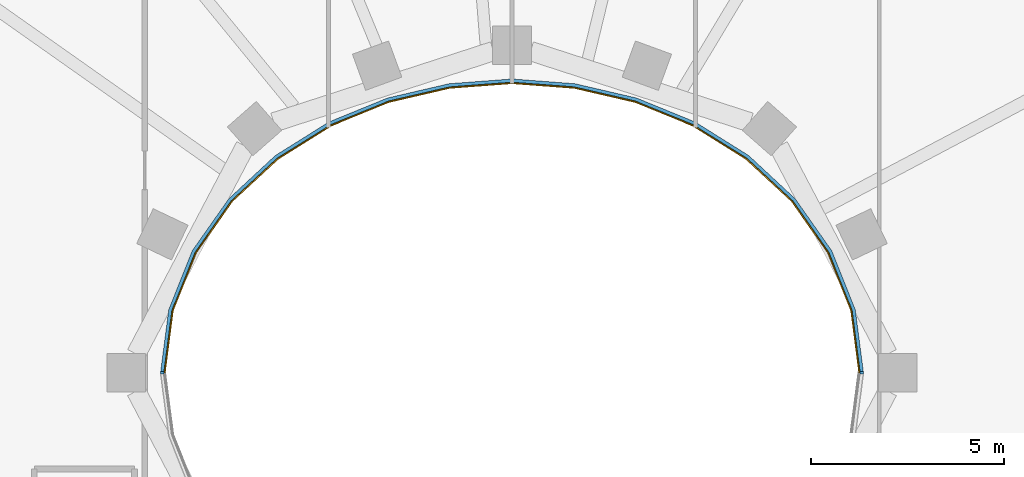
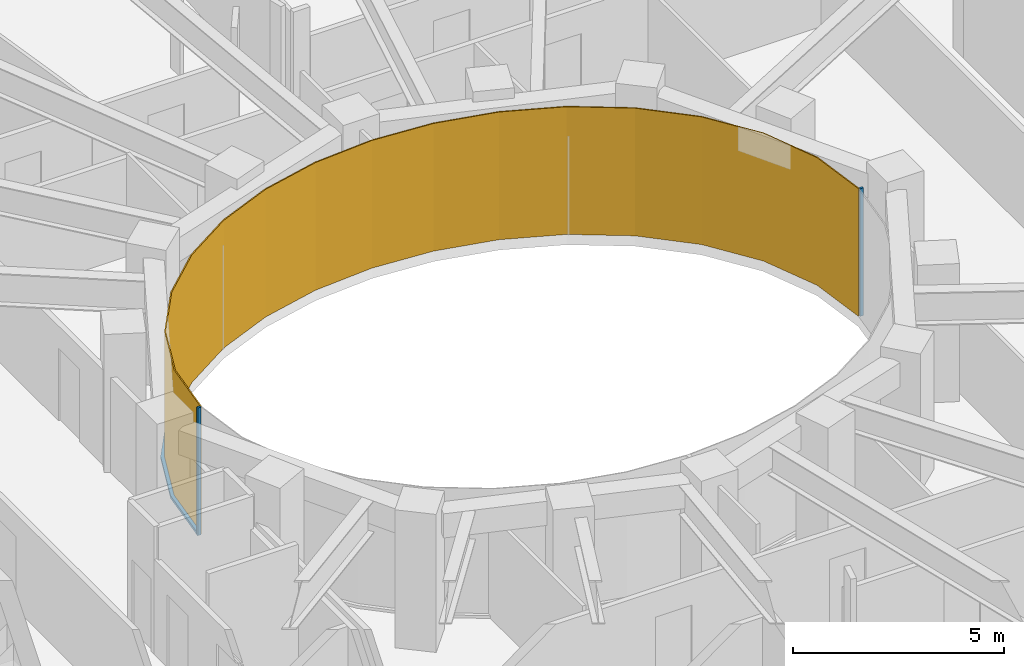
# One storey, part 12 of 16: 3 members, 1 curtain wall.
"""IFC4 building model written with IfcOpenShell, lengths in metres."""

from ifc_helpers import new_model, si_unit, direction, frame, origin, origin_2d, place, context, subcontext, project, spatial, polyline, rectangle, outline, extrude, material, layer, layer_set, material_profile, profile_set, type_object, element, aggregate, save


model = new_model("IFC4")

# Units and contexts
model_context = context("Model", 3, precision=1e-05, world=origin(), true_north=direction((0.0, 1.0)))
body_context = subcontext(model_context, "Body", "Model", "MODEL_VIEW")
ifc_project = project(units=[si_unit("LENGTHUNIT", "METRE"), si_unit("AREAUNIT", "SQUARE_METRE"), si_unit("VOLUMEUNIT", "CUBIC_METRE"), si_unit("PLANEANGLEUNIT", "RADIAN"), si_unit("MASSUNIT", "GRAM", prefix="KILO")], contexts=[model_context])

# Member
ifc_material_1 = material(Name="Steel S355 fire-resisting frame", Category="steel")
ifc_material_profile = material_profile(ifc_material_1, rectangle(XDim=0.090087890625, YDim=0.06005859375, at=origin_2d()), Name="90x60")
ifc_profile_set = profile_set([ifc_material_profile], Name="Steel S355 fire-resisting frame")
member_type_1 = type_object("IfcMemberType", Name="ENV-MULLION-W-90", PredefinedType="MULLION", material=ifc_profile_set)
site_placement = place(None, origin())
building_placement = place(site_placement, origin())
storey_placement = place(building_placement, frame((0.0, 0.0, 237.5)))
member_1_placement = place(storey_placement, frame((9.076904296875, 0.0, 0.0), z_axis=(0.0, 0.0, 1.0), x_axis=(1.0, 0.0, 0.0)))
member_1 = element("IfcMember", 1, at=member_1_placement, type_object=member_type_1, Name="Mullion W well vertex 01", PredefinedType="MULLION", context=body_context, shape_type="SweptSolid", body=[
    extrude(rectangle(XDim=0.090087890625, YDim=0.06005859375, at=origin_2d()), origin(), (0.0, 0.0, 1.0), 3.699951171875),
])

member_2_placement = place(storey_placement, frame((-9.076904296875, 0.0, 0.0), z_axis=(0.0, 0.0, 1.0), x_axis=(-1.0, 0.0, 0.0)))
member_2 = element("IfcMember", 2, at=member_2_placement, type_object=member_type_1, Name="Mullion W well vertex 17", PredefinedType="MULLION", context=body_context, shape_type="SweptSolid", body=[
    extrude(rectangle(XDim=0.090087890625, YDim=0.06005859375, at=origin_2d()), origin(), (0.0, 0.0, 1.0), 3.699951171875),
])

ifc_material_2 = material(Name="Steel S355 fire-resisting frame", Category="steel")
member_type_2 = type_object("IfcMemberType", Name="ENV-TRANSOM-W", PredefinedType="USERDEFINED", material=ifc_material_2)
member_3_placement = place(storey_placement, origin())
member_3 = element("IfcMember", 3, at=member_3_placement, type_object=member_type_2, Name="Transom W well 01-17", ObjectType="TRANSOM", PredefinedType="USERDEFINED", context=body_context, shape_type="SweptSolid", body=[
    extrude(outline(polyline([(9.119384765625, 0.02783203125), (8.910400390625, 1.63623046875), (8.29833984375, 3.167236328125), (7.35107421875, 4.5146484375), (6.1455078125, 5.6337890625), (4.75341796875, 6.50634765625), (3.233642578125, 7.127685546875), (1.635498046875, 7.498779296875), (0.0, 7.622314453125), (-1.635498046875, 7.498779296875), (-3.233642578125, 7.127685546875), (-4.75341796875, 6.50634765625), (-6.1455078125, 5.6337890625), (-7.35107421875, 4.5146484375), (-8.29833984375, 3.167236328125), (-8.910400390625, 1.63623046875), (-9.119384765625, 0.02783203125), (-9.02880859375, 0.02783203125), (-8.822509765625, 1.61328125), (-8.21875, 3.124267578125), (-7.282958984375, 4.455078125), (-6.090576171875, 5.56201171875), (-4.712158203125, 6.426025390625), (-3.206298828125, 7.04150390625), (-1.621826171875, 7.40966796875), (0.0, 7.531982421875), (1.621826171875, 7.40966796875), (3.206298828125, 7.04150390625), (4.712158203125, 6.426025390625), (6.090576171875, 5.56201171875), (7.282958984375, 4.455078125), (8.21875, 3.124267578125), (8.822509765625, 1.61328125), (9.02880859375, 0.02783203125), (9.119384765625, 0.02783203125)])), origin(), (0.0, 0.0, 1.0), 0.080078125),
])

# Site, building, storey
site = spatial("IfcSite", under=ifc_project, at=site_placement, CompositionType="ELEMENT")
building = spatial("IfcBuilding", under=site, at=building_placement, Name="Noorbagh Ring Tower", CompositionType="ELEMENT")
storey = spatial("IfcBuildingStorey", under=building, at=storey_placement, Name="L49", CompositionType="ELEMENT", Elevation=237.5)

# Curtain wall
ifc_material_3 = material(Name="Glass fire-resisting E60 laminated", Category="glass")
ifc_layer = layer(ifc_material_3, 0.031982421875)
ifc_layer_set = layer_set([ifc_layer], Name="Glass fire-resisting E60 laminated")
curtain_wall_type = type_object("IfcCurtainWallType", Name="ENV-CW-W", PredefinedType="NOTDEFINED", material=ifc_layer_set)
curtain_wall_placement = place(storey_placement, origin())
curtain_wall = element("IfcCurtainWall", 4, at=curtain_wall_placement, inside=storey, type_object=curtain_wall_type, Name="Curtain wall W W01", PredefinedType="NOTDEFINED", context=body_context, shape_type="SweptSolid", body=[
    extrude(outline(polyline([(9.0322265625, 0.0), (8.822509765625, 1.61328125), (8.21875, 3.124267578125), (7.282958984375, 4.455078125), (6.090576171875, 5.56201171875), (4.712158203125, 6.426025390625), (3.206298828125, 7.04150390625), (1.621826171875, 7.40966796875), (0.0, 7.531982421875), (-1.621826171875, 7.40966796875), (-3.206298828125, 7.04150390625), (-4.712158203125, 6.426025390625), (-6.090576171875, 5.56201171875), (-7.282958984375, 4.455078125), (-8.21875, 3.124267578125), (-8.822509765625, 1.61328125), (-9.0322265625, 0.0), (-9.0, 0.0), (-8.79150390625, 1.605224609375), (-8.1904296875, 3.10888671875), (-7.2587890625, 4.43408203125), (-6.071044921875, 5.53662109375), (-4.697509765625, 6.3974609375), (-3.196533203125, 7.010986328125), (-1.6171875, 7.3779296875), (0.0, 7.5), (1.6171875, 7.3779296875), (3.196533203125, 7.010986328125), (4.697509765625, 6.3974609375), (6.071044921875, 5.53662109375), (7.2587890625, 4.43408203125), (8.1904296875, 3.10888671875), (8.79150390625, 1.605224609375), (9.0, 0.0), (9.0322265625, 0.0)])), origin(), (0.0, 0.0, 1.0), 3.699951171875),
])

aggregate(curtain_wall, [member_1, member_2, member_3])

save(model, "model.ifc")
